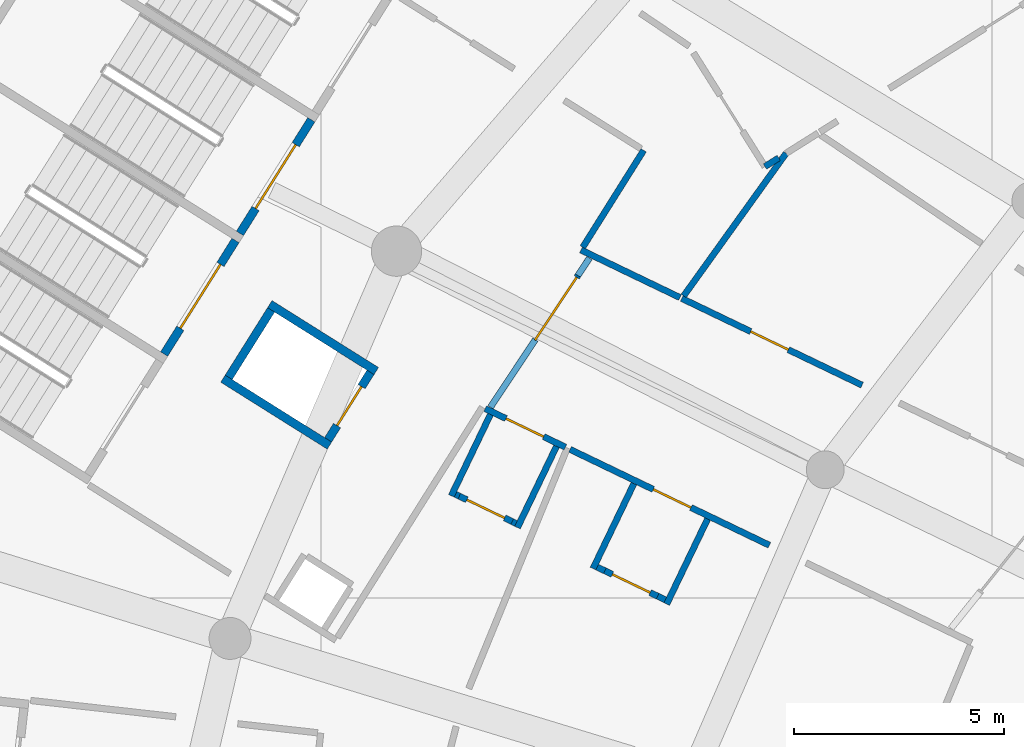
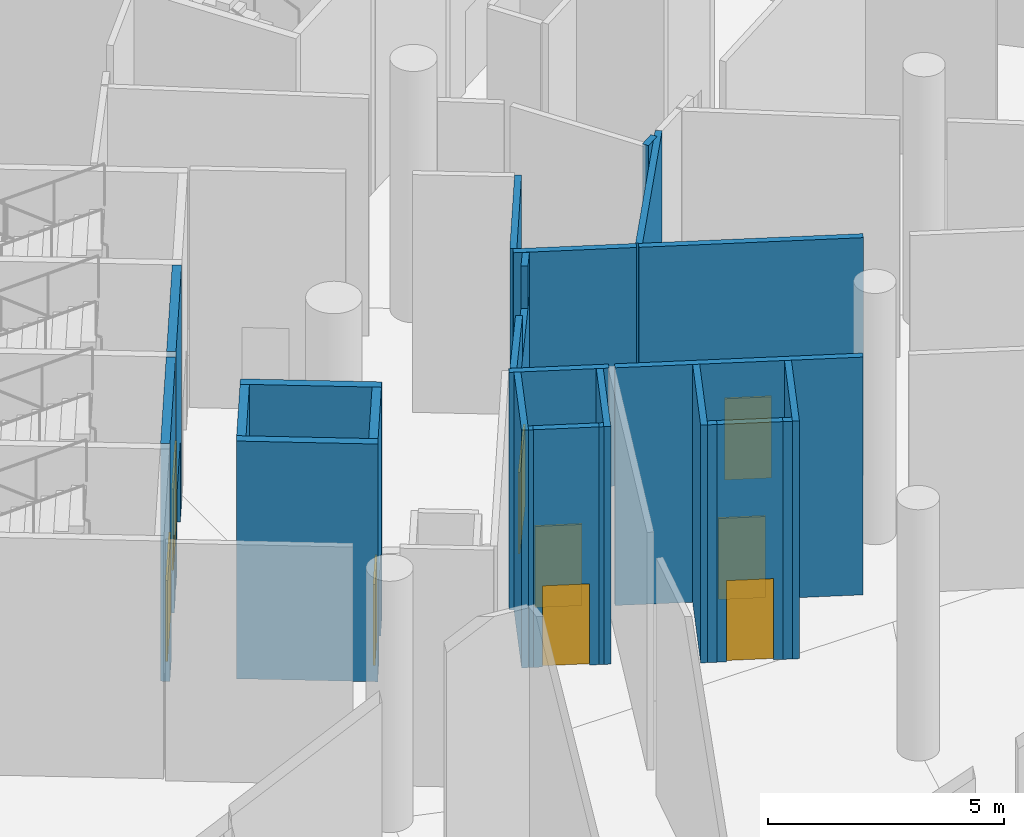
# One storey, part 136 of 255: 26 walls, 9 doors, 9 openings.
"""IFC4 building model written with IfcOpenShell, lengths in metres."""

from ifc_helpers import new_model, si_unit, direction, frame, frame_2d, origin, place, context, subcontext, project, spatial, rectangle, extrude, material, layer, layer_set, type_object, element, fill, save


model = new_model("IFC4")

# Units and contexts
model_context = context("Model", 3, precision=1e-05, world=origin(), true_north=direction((0.0, 1.0)))
body_context = subcontext(model_context, "Body", "Model", "MODEL_VIEW")
ifc_project = project(units=[si_unit("LENGTHUNIT", "METRE"), si_unit("AREAUNIT", "SQUARE_METRE"), si_unit("VOLUMEUNIT", "CUBIC_METRE"), si_unit("PLANEANGLEUNIT", "RADIAN"), si_unit("MASSUNIT", "GRAM", prefix="KILO")], contexts=[model_context])

# Site, building, storey
site_placement = place(None, origin())
site = spatial("IfcSite", under=ifc_project, at=site_placement, CompositionType="ELEMENT")
building_placement = place(site_placement, origin())
building = spatial("IfcBuilding", under=site, at=building_placement, Name="Meseta Stadium", CompositionType="ELEMENT")
storey_placement = place(building_placement, origin())
storey = spatial("IfcBuildingStorey", under=building, at=storey_placement, Name="L00", CompositionType="ELEMENT", Elevation=0.0)

# Wall, opening, door
ifc_material_1 = material(Name="Concrete C40/50", Category="concrete")
ifc_layer_1 = layer(ifc_material_1, 0.199951171875)
ifc_layer_set_1 = layer_set([ifc_layer_1], Name="Core shaft wall 200")
wall_type_1 = type_object("IfcWallType", Name="Core shaft wall 200", PredefinedType="SHEAR", material=ifc_layer_set_1)
wall_1_placement = place(storey_placement, frame((-80.22998046875, 75.405517578125, 0.0), z_axis=(0.0, 0.0, 1.0), x_axis=(-0.53206841829, -0.84670136309, 0.0)))
wall_1 = element("IfcWall", 1, at=wall_1_placement, inside=storey, type_object=wall_type_1, Name="Core 14 L00 stair A2 inner end wall", PredefinedType="SHEAR", context=body_context, shape_type="SweptSolid", body=[
    extrude(rectangle(XDim=3.199951171875, YDim=0.199951171875, at=frame_2d((1.60009765625, 0.0))), origin(), (0.0, 0.0, 1.0), 6.14990234375),
])
opening_1_placement = place(wall_1_placement, frame((0.699951171875, 0.0, 0.0)))
opening_1 = element("IfcOpeningElement", 2, at=opening_1_placement, cuts=wall_1, Name="Opening D192", PredefinedType="OPENING", context=body_context, shape_type="SweptSolid", body=[
    extrude(rectangle(XDim=1.800048828125, YDim=2.10009765625, at=frame_2d((0.89990234375, 1.050048828125))), frame((0.0, 0.10986328125, 0.0), z_axis=(0.0, -1.0, 0.0), x_axis=(1.0, 0.0, 0.0)), (0.0, 0.0, 1.0), 0.219970703125),
])
ifc_material_2 = material(Name="Steel", Category="steel")
door_type_1 = type_object("IfcDoorType", Name="Stair door 1800x2100", OperationType="DOUBLE_DOOR_SINGLE_SWING", PredefinedType="DOOR", material=ifc_material_2)
door_1_placement = place(opening_1_placement, origin())
door_1 = element("IfcDoor", 3, at=door_1_placement, inside=storey, type_object=door_type_1, Name="Stair A2 door 14 L00", OperationType="DOUBLE_DOOR_SINGLE_SWING", OverallHeight=2.10009765625, OverallWidth=1.800048828125, PredefinedType="DOOR", context=body_context, shape_type="SweptSolid", body=[
    extrude(rectangle(XDim=1.800048828125, YDim=2.10009765625, at=frame_2d((0.89990234375, 1.050048828125))), frame((0.0, 0.02490234375, 0.0), z_axis=(0.0, -1.0, 0.0), x_axis=(1.0, 0.0, 0.0)), (0.0, 0.0, 1.0), 0.050048828125),
])
fill(opening_1, door_1)

wall_2_placement = place(storey_placement, frame((-82.0390625, 72.526611328125, 0.0), z_axis=(0.0, 0.0, 1.0), x_axis=(-0.532013720158, -0.846735733015, 0.0)))
wall_2 = element("IfcWall", 4, at=wall_2_placement, inside=storey, type_object=wall_type_1, Name="Core 14 L00 stair B1 inner end wall", PredefinedType="SHEAR", context=body_context, shape_type="SweptSolid", body=[
    extrude(rectangle(XDim=3.199951171875, YDim=0.199951171875, at=frame_2d((1.60009765625, 0.0))), origin(), (0.0, 0.0, 1.0), 6.14990234375),
])
opening_2_placement = place(wall_2_placement, frame((0.673095703125, 0.0, 0.0)))
opening_2 = element("IfcOpeningElement", 5, at=opening_2_placement, cuts=wall_2, Name="Opening D193", PredefinedType="OPENING", context=body_context, shape_type="SweptSolid", body=[
    extrude(rectangle(XDim=1.800048828125, YDim=2.10009765625, at=frame_2d((0.89990234375, 1.050048828125))), frame((0.0, 0.10986328125, 0.0), z_axis=(0.0, -1.0, 0.0), x_axis=(1.0, 0.0, 0.0)), (0.0, 0.0, 1.0), 0.219970703125),
])
door_2_placement = place(opening_2_placement, origin())
door_2 = element("IfcDoor", 6, at=door_2_placement, inside=storey, type_object=door_type_1, Name="Stair B1 door 14 L00", OperationType="DOUBLE_DOOR_SINGLE_SWING", OverallHeight=2.10009765625, OverallWidth=1.800048828125, PredefinedType="DOOR", context=body_context, shape_type="SweptSolid", body=[
    extrude(rectangle(XDim=1.800048828125, YDim=2.10009765625, at=frame_2d((0.89990234375, 1.050048828125))), frame((0.0, 0.02490234375, 0.0), z_axis=(0.0, -1.0, 0.0), x_axis=(1.0, 0.0, 0.0)), (0.0, 0.0, 1.0), 0.050048828125),
])
fill(opening_2, door_2)

# Walls
for number, where, z_axis, x_axis, name in (
    (7, (-81.22119140625, 71.0087890625, 0.0), (0.0, 0.0, 1.0), (0.846757002027, -0.531979867588, 0.0), "Core 14 L00 lift shaft wall left"),
    (8, (-82.33837890625, 69.230712890625, 0.0), (0.0, 0.0, 1.0), (0.846757002027, -0.531979867588, 0.0), "Core 14 L00 lift shaft wall right"),
):
    element("IfcWall", number, at=place(storey_placement, frame(where, z_axis=z_axis, x_axis=x_axis)), inside=storey, type_object=wall_type_1, Name=name, PredefinedType="SHEAR", context=body_context, shape_type="SweptSolid", body=[
        extrude(rectangle(XDim=3.0, YDim=0.199951171875, at=frame_2d((1.5, 0.0))), origin(), (0.0, 0.0, 1.0), 6.14990234375),
    ])
wall_3_placement = place(storey_placement, frame((-81.189697265625, 70.87109375, 0.0), z_axis=(0.0, 0.0, 1.0), x_axis=(-0.531961007765, -0.846768850524, 0.0)))
element("IfcWall", 9, at=wall_3_placement, inside=storey, type_object=wall_type_1, Name="Core 14 L00 lift shaft back wall", PredefinedType="SHEAR", context=body_context, shape_type="SweptSolid", body=[
    extrude(rectangle(XDim=1.900146484375, YDim=0.199951171875, at=frame_2d((0.9501953125, 0.0))), origin(), (0.0, 0.0, 1.0), 6.14990234375),
])

# Wall, opening, door
wall_4_placement = place(storey_placement, frame((-78.81884765625, 69.38134765625, 0.0), z_axis=(0.0, 0.0, 1.0), x_axis=(-0.532018892235, -0.846732483318, 0.0)))
wall_4 = element("IfcWall", 10, at=wall_4_placement, inside=storey, type_object=wall_type_1, Name="Core 14 L00 lift shaft front wall", PredefinedType="SHEAR", context=body_context, shape_type="SweptSolid", body=[
    extrude(rectangle(XDim=1.89990234375, YDim=0.199951171875, at=frame_2d((0.949951171875, 0.0))), origin(), (0.0, 0.0, 1.0), 6.14990234375),
])
opening_3_placement = place(wall_4_placement, frame((0.39990234375, 0.0, 0.0)))
opening_3 = element("IfcOpeningElement", 11, at=opening_3_placement, cuts=wall_4, Name="Opening LD74", PredefinedType="OPENING", context=body_context, shape_type="SweptSolid", body=[
    extrude(rectangle(XDim=1.10009765625, YDim=2.10009765625, at=frame_2d((0.550048828125, 1.050048828125))), frame((0.0, 0.10986328125, 0.0), z_axis=(0.0, -1.0, 0.0), x_axis=(1.0, 0.0, 0.0)), (0.0, 0.0, 1.0), 0.219970703125),
])
ifc_material_3 = material(Name="Steel", Category="steel")
door_type_2 = type_object("IfcDoorType", Name="Lift landing door 1100x2100", OperationType="SLIDING_TO_LEFT", PredefinedType="DOOR", material=ifc_material_3)
door_3_placement = place(opening_3_placement, origin())
door_3 = element("IfcDoor", 12, at=door_3_placement, inside=storey, type_object=door_type_2, Name="Lift landing door LD74", OperationType="SLIDING_TO_RIGHT", OverallHeight=2.10009765625, OverallWidth=1.10009765625, PredefinedType="DOOR", context=body_context, shape_type="SweptSolid", body=[
    extrude(rectangle(XDim=1.10009765625, YDim=2.10009765625, at=frame_2d((0.550048828125, 1.050048828125))), frame((0.0, 0.02490234375, 0.0), z_axis=(0.0, -1.0, 0.0), x_axis=(1.0, 0.0, 0.0)), (0.0, 0.0, 1.0), 0.050048828125),
])
fill(opening_3, door_3)

ifc_material_4 = material(Name="Masonry blockwork", Category="masonry")
ifc_layer_2 = layer(ifc_material_4, 0.14990234375)
ifc_layer_set_2 = layer_set([ifc_layer_2], Name="Partition 150")
wall_type_2 = type_object("IfcWallType", Name="Partition 150", PredefinedType="PARTITIONING", material=ifc_layer_set_2)
wall_5_placement = place(storey_placement, frame((-67.093505859375, 69.076416015625, 0.0), z_axis=(0.0, 0.0, 1.0), x_axis=(-0.901200145097, 0.433403159284, 0.0)))
wall_5 = element("IfcWall", 13, at=wall_5_placement, inside=storey, type_object=wall_type_2, Name="Partition L00 L00-cell12-1-0b1", PredefinedType="PARTITIONING", context=body_context, shape_type="SweptSolid", body=[
    extrude(rectangle(XDim=4.77001953125, YDim=0.14990234375, at=frame_2d((2.385009765625, 0.0))), origin(), (0.0, 0.0, 1.0), 6.14990234375),
])
opening_4_placement = place(wall_5_placement, frame((1.949951171875, 0.0, 0.0)))
opening_4 = element("IfcOpeningElement", 14, at=opening_4_placement, cuts=wall_5, Name="Opening D569", PredefinedType="OPENING", context=body_context, shape_type="SweptSolid", body=[
    extrude(rectangle(XDim=1.0, YDim=2.10009765625, at=frame_2d((0.5, 1.050048828125))), frame((0.0, 0.0849609375, 0.0), z_axis=(0.0, -1.0, 0.0), x_axis=(1.0, 0.0, 0.0)), (0.0, 0.0, 1.0), 0.169921875),
])
ifc_material_5 = material(Name="Timber", Category="wood")
door_type_3 = type_object("IfcDoorType", Name="Room door 1000x2100", OperationType="NOTDEFINED", PredefinedType="DOOR", material=ifc_material_5)
door_4_placement = place(opening_4_placement, origin())
door_4 = element("IfcDoor", 15, at=door_4_placement, inside=storey, type_object=door_type_3, Name="Door D569", OperationType="SINGLE_SWING_LEFT", OverallHeight=2.10009765625, OverallWidth=1.0, PredefinedType="DOOR", context=body_context, shape_type="SweptSolid", body=[
    extrude(rectangle(XDim=1.0, YDim=2.10009765625, at=frame_2d((0.5, 1.050048828125))), frame((0.0, 0.02490234375, 0.0), z_axis=(0.0, -1.0, 0.0), x_axis=(1.0, 0.0, 0.0)), (0.0, 0.0, 1.0), 0.050048828125),
])
fill(opening_4, door_4)

# Walls
wall_6_placement = place(storey_placement, frame((-71.347900390625, 71.20556640625, 0.0), z_axis=(0.0, 0.0, 1.0), x_axis=(0.583304436704, 0.812253614409, 0.0)))
element("IfcWall", 16, at=wall_6_placement, inside=storey, type_object=wall_type_2, Name="Partition L00 L00-cell12-1-0b1", PredefinedType="PARTITIONING", context=body_context, shape_type="SweptSolid", body=[
    extrude(rectangle(XDim=4.1875, YDim=0.14990234375, at=frame_2d((2.09375, 0.0))), origin(), (0.0, 0.0, 1.0), 6.14990234375),
])
wall_7_placement = place(storey_placement, frame((-71.437255859375, 71.165283203125, 0.0), z_axis=(0.0, 0.0, 1.0), x_axis=(-0.901204092293, 0.433394951556, 0.0)))
element("IfcWall", 17, at=wall_7_placement, inside=storey, type_object=wall_type_2, Name="Partition L00 L00-cell12-2-0b1", PredefinedType="PARTITIONING", context=body_context, shape_type="SweptSolid", body=[
    extrude(rectangle(XDim=2.61767578125, YDim=0.14990234375, at=frame_2d((1.308837890625, 0.0))), origin(), (0.0, 0.0, 1.0), 6.14990234375),
])
wall_8_placement = place(storey_placement, frame((-73.756103515625, 72.36376953125, 0.0), z_axis=(0.0, 0.0, 1.0), x_axis=(0.532054374811, 0.846710187871, 0.0)))
element("IfcWall", 18, at=wall_8_placement, inside=storey, type_object=wall_type_2, Name="Partition L00 L00-cell12-2-0b1", PredefinedType="PARTITIONING", context=body_context, shape_type="SweptSolid", body=[
    extrude(rectangle(XDim=2.731201171875, YDim=0.14990234375, at=frame_2d((1.36572265625, 0.0))), origin(), (0.0, 0.0, 1.0), 6.14990234375),
])
wall_9_placement = place(storey_placement, frame((-69.410888671875, 74.289306640625, 0.0), z_axis=(0.0, 0.0, 1.0), x_axis=(0.84669301854, 0.532081697069, 0.0)))
element("IfcWall", 19, at=wall_9_placement, inside=storey, type_object=wall_type_2, Name="Partition L00 L00-cell12-2-0b1", PredefinedType="PARTITIONING", context=body_context, shape_type="SweptSolid", body=[
    extrude(rectangle(XDim=0.3896484375, YDim=0.14990234375, at=frame_2d((0.19482421875, 0.0))), origin(), (0.0, 0.0, 1.0), 6.14990234375),
])

# Wall, opening, door
wall_10_placement = place(storey_placement, frame((-74.0576171875, 67.543212890625, 0.0), z_axis=(0.0, 0.0, 1.0), x_axis=(0.90118985402, -0.433424557462, 0.0)))
wall_10 = element("IfcWall", 20, at=wall_10_placement, inside=storey, type_object=wall_type_2, Name="Partition L00 L00-cell13-1-0", PredefinedType="PARTITIONING", context=body_context, shape_type="SweptSolid", body=[
    extrude(rectangle(XDim=5.275146484375, YDim=0.14990234375, at=frame_2d((2.6376953125, 0.0))), origin(), (0.0, 0.0, 1.0), 6.14990234375),
])
opening_5_placement = place(wall_10_placement, frame((2.199951171875, 0.0, 0.0)))
opening_5 = element("IfcOpeningElement", 21, at=opening_5_placement, cuts=wall_10, Name="Opening D574", PredefinedType="OPENING", context=body_context, shape_type="SweptSolid", body=[
    extrude(rectangle(XDim=1.0, YDim=2.10009765625, at=frame_2d((0.5, 1.050048828125))), frame((0.0, 0.0849609375, 0.0), z_axis=(0.0, -1.0, 0.0), x_axis=(1.0, 0.0, 0.0)), (0.0, 0.0, 1.0), 0.169921875),
])
ifc_material_6 = material(Name="Steel", Category="steel")
door_type_4 = type_object("IfcDoorType", Name="Fire door 1000x2100 EI2 60", OperationType="NOTDEFINED", PredefinedType="DOOR", material=ifc_material_6)
door_5_placement = place(opening_5_placement, origin())
door_5 = element("IfcDoor", 22, at=door_5_placement, inside=storey, type_object=door_type_4, Name="Door D574", OperationType="SINGLE_SWING_RIGHT", OverallHeight=2.10009765625, OverallWidth=1.0, PredefinedType="DOOR", context=body_context, shape_type="SweptSolid", body=[
    extrude(rectangle(XDim=1.0, YDim=2.10009765625, at=frame_2d((0.5, 1.050048828125))), frame((0.0, 0.02490234375, 0.0), z_axis=(0.0, -1.0, 0.0), x_axis=(1.0, 0.0, 0.0)), (0.0, 0.0, 1.0), 0.050048828125),
])
fill(opening_5, door_5)

wall_11_placement = place(storey_placement, frame((-76.083984375, 68.517822265625, 0.0), z_axis=(0.0, 0.0, 1.0), x_axis=(0.901196299468, -0.433411155631, 0.0)))
wall_11 = element("IfcWall", 23, at=wall_11_placement, inside=storey, type_object=wall_type_2, Name="Partition L00 L00-cell13-2-0", PredefinedType="PARTITIONING", context=body_context, shape_type="SweptSolid", body=[
    extrude(rectangle(XDim=2.12353515625, YDim=0.14990234375, at=frame_2d((1.061767578125, 0.0))), origin(), (0.0, 0.0, 1.0), 6.14990234375),
])
opening_6_placement = place(wall_11_placement, frame((0.550048828125, 0.0, 0.0)))
opening_6 = element("IfcOpeningElement", 24, at=opening_6_placement, cuts=wall_11, Name="Opening D575", PredefinedType="OPENING", context=body_context, shape_type="SweptSolid", body=[
    extrude(rectangle(XDim=1.0, YDim=2.10009765625, at=frame_2d((0.5, 1.050048828125))), frame((0.0, 0.0849609375, 0.0), z_axis=(0.0, -1.0, 0.0), x_axis=(1.0, 0.0, 0.0)), (0.0, 0.0, 1.0), 0.169921875),
])
door_6_placement = place(opening_6_placement, origin())
door_6 = element("IfcDoor", 25, at=door_6_placement, inside=storey, type_object=door_type_4, Name="Door D575", OperationType="SINGLE_SWING_LEFT", OverallHeight=2.10009765625, OverallWidth=1.0, PredefinedType="DOOR", context=body_context, shape_type="SweptSolid", body=[
    extrude(rectangle(XDim=1.0, YDim=2.10009765625, at=frame_2d((0.5, 1.050048828125))), frame((0.0, 0.02490234375, 0.0), z_axis=(0.0, -1.0, 0.0), x_axis=(1.0, 0.0, 0.0)), (0.0, 0.0, 1.0), 0.050048828125),
])
fill(opening_6, door_6)

# Walls
wall_12_placement = place(storey_placement, frame((-72.535400390625, 66.727783203125, 0.0), z_axis=(0.0, 0.0, 1.0), x_axis=(-0.433401217297, -0.901201079031, 0.0)))
element("IfcWall", 26, at=wall_12_placement, inside=storey, type_object=wall_type_2, Name="Partition L00 L00-cell13-1-0 vestibule", PredefinedType="PARTITIONING", context=body_context, shape_type="SweptSolid", body=[
    extrude(rectangle(XDim=2.249755859375, YDim=0.14990234375, at=frame_2d((1.125, 0.0))), origin(), (0.0, 0.0, 1.0), 6.14990234375),
])
wall_13_placement = place(storey_placement, frame((-70.778076171875, 65.8828125, 0.0), z_axis=(0.0, 0.0, 1.0), x_axis=(-0.433446957245, -0.901179080569, 0.0)))
element("IfcWall", 27, at=wall_13_placement, inside=storey, type_object=wall_type_2, Name="Partition L00 L00-cell13-1-0 vestibule", PredefinedType="PARTITIONING", context=body_context, shape_type="SweptSolid", body=[
    extrude(rectangle(XDim=2.250244140625, YDim=0.14990234375, at=frame_2d((1.125, 0.0))), origin(), (0.0, 0.0, 1.0), 6.14990234375),
])
wall_14_placement = place(storey_placement, frame((-73.410400390625, 64.7353515625, 0.0), z_axis=(0.0, 0.0, 1.0), x_axis=(0.901160703759, -0.433485162377, 0.0)))
element("IfcWall", 28, at=wall_14_placement, inside=storey, type_object=wall_type_2, Name="Partition L00 L00-cell13-1-0 vestibule", PredefinedType="PARTITIONING", context=body_context, shape_type="SweptSolid", body=[
    extrude(rectangle(XDim=0.199951171875, YDim=0.14990234375, at=frame_2d((0.10009765625, 0.0))), origin(), (0.0, 0.0, 1.0), 6.14990234375),
])

# Wall, opening, door
wall_15_placement = place(storey_placement, frame((-73.230224609375, 64.648681640625, 0.0), z_axis=(0.0, 0.0, 1.0), x_axis=(0.901158119361, -0.433490534971, 0.0)))
wall_15 = element("IfcWall", 29, at=wall_15_placement, inside=storey, type_object=wall_type_2, Name="Partition L00 L00-cell13-1-0 vestibule", PredefinedType="PARTITIONING", context=body_context, shape_type="SweptSolid", body=[
    extrude(rectangle(XDim=1.400146484375, YDim=0.14990234375, at=frame_2d((0.7001953125, 0.0))), origin(), (0.0, 0.0, 1.0), 6.14990234375),
])
opening_7_placement = place(wall_15_placement, frame((0.199951171875, 0.0, 0.0)))
opening_7 = element("IfcOpeningElement", 30, at=opening_7_placement, cuts=wall_15, Name="Opening D842", PredefinedType="OPENING", context=body_context, shape_type="SweptSolid", body=[
    extrude(rectangle(XDim=1.0, YDim=2.10009765625, at=frame_2d((0.5, 1.050048828125))), frame((0.0, 0.0849609375, 0.0), z_axis=(0.0, -1.0, 0.0), x_axis=(1.0, 0.0, 0.0)), (0.0, 0.0, 1.0), 0.169921875),
])
door_7_placement = place(opening_7_placement, origin())
door_7 = element("IfcDoor", 31, at=door_7_placement, inside=storey, type_object=door_type_4, Name="Vestibule door L00 L00-cell13-1-0", OperationType="SINGLE_SWING_RIGHT", OverallHeight=2.10009765625, OverallWidth=1.0, PredefinedType="DOOR", context=body_context, shape_type="SweptSolid", body=[
    extrude(rectangle(XDim=1.0, YDim=2.10009765625, at=frame_2d((0.5, 1.050048828125))), frame((0.0, 0.02490234375, 0.0), z_axis=(0.0, -1.0, 0.0), x_axis=(1.0, 0.0, 0.0)), (0.0, 0.0, 1.0), 0.050048828125),
])
fill(opening_7, door_7)

# Walls
wall_16_placement = place(storey_placement, frame((-71.968505859375, 64.041748046875, 0.0), z_axis=(0.0, 0.0, 1.0), x_axis=(0.901160703759, -0.433485162377, 0.0)))
element("IfcWall", 32, at=wall_16_placement, inside=storey, type_object=wall_type_2, Name="Partition L00 L00-cell13-1-0 vestibule", PredefinedType="PARTITIONING", context=body_context, shape_type="SweptSolid", body=[
    extrude(rectangle(XDim=0.199951171875, YDim=0.14990234375, at=frame_2d((0.10009765625, 0.0))), origin(), (0.0, 0.0, 1.0), 6.14990234375),
])
for number, where, z_axis, x_axis, name in (
    (33, (-75.958984375, 68.37451171875, 0.0), (0.0, 0.0, 1.0), (-0.433399074272, -0.90120210964, 0.0), "Partition L00 L00-cell13-2-0 vestibule"),
    (34, (-74.3818359375, 67.615966796875, 0.0), (0.0, 0.0, 1.0), (-0.433399074272, -0.90120210964, 0.0), "Partition L00 L00-cell13-2-0 vestibule"),
):
    element("IfcWall", number, at=place(storey_placement, frame(where, z_axis=z_axis, x_axis=x_axis)), inside=storey, type_object=wall_type_2, Name=name, PredefinedType="PARTITIONING", context=body_context, shape_type="SweptSolid", body=[
        extrude(rectangle(XDim=2.150146484375, YDim=0.14990234375, at=frame_2d((1.0751953125, 0.0))), origin(), (0.0, 0.0, 1.0), 6.14990234375),
    ])
wall_17_placement = place(storey_placement, frame((-76.790771484375, 66.471923828125, 0.0), z_axis=(0.0, 0.0, 1.0), x_axis=(0.900683407008, -0.434476006633, 0.0)))
element("IfcWall", 35, at=wall_17_placement, inside=storey, type_object=wall_type_2, Name="Partition L00 L00-cell13-2-0 vestibule", PredefinedType="PARTITIONING", context=body_context, shape_type="SweptSolid", body=[
    extrude(rectangle(XDim=0.10009765625, YDim=0.14990234375, at=frame_2d((0.050048828125, 0.0))), origin(), (0.0, 0.0, 1.0), 6.14990234375),
])

# Wall, opening, door
wall_18_placement = place(storey_placement, frame((-76.70068359375, 66.428466796875, 0.0), z_axis=(0.0, 0.0, 1.0), x_axis=(0.901226230947, -0.433348913294, 0.0)))
wall_18 = element("IfcWall", 36, at=wall_18_placement, inside=storey, type_object=wall_type_2, Name="Partition L00 L00-cell13-2-0 vestibule", PredefinedType="PARTITIONING", context=body_context, shape_type="SweptSolid", body=[
    extrude(rectangle(XDim=1.39990234375, YDim=0.14990234375, at=frame_2d((0.699951171875, 0.0))), origin(), (0.0, 0.0, 1.0), 6.14990234375),
])
opening_8_placement = place(wall_18_placement, frame((0.199951171875, 0.0, 0.0)))
opening_8 = element("IfcOpeningElement", 37, at=opening_8_placement, cuts=wall_18, Name="Opening D843", PredefinedType="OPENING", context=body_context, shape_type="SweptSolid", body=[
    extrude(rectangle(XDim=1.0, YDim=2.10009765625, at=frame_2d((0.5, 1.050048828125))), frame((0.0, 0.0849609375, 0.0), z_axis=(0.0, -1.0, 0.0), x_axis=(1.0, 0.0, 0.0)), (0.0, 0.0, 1.0), 0.169921875),
])
door_8_placement = place(opening_8_placement, origin())
door_8 = element("IfcDoor", 38, at=door_8_placement, inside=storey, type_object=door_type_4, Name="Vestibule door L00 L00-cell13-2-0", OperationType="SINGLE_SWING_LEFT", OverallHeight=2.10009765625, OverallWidth=1.0, PredefinedType="DOOR", context=body_context, shape_type="SweptSolid", body=[
    extrude(rectangle(XDim=1.0, YDim=2.10009765625, at=frame_2d((0.5, 1.050048828125))), frame((0.0, 0.02490234375, 0.0), z_axis=(0.0, -1.0, 0.0), x_axis=(1.0, 0.0, 0.0)), (0.0, 0.0, 1.0), 0.050048828125),
])
fill(opening_8, door_8)

# Wall
wall_19_placement = place(storey_placement, frame((-75.43896484375, 65.82177734375, 0.0), z_axis=(0.0, 0.0, 1.0), x_axis=(0.900683407008, -0.434476006633, 0.0)))
element("IfcWall", 39, at=wall_19_placement, inside=storey, type_object=wall_type_2, Name="Partition L00 L00-cell13-2-0 vestibule", PredefinedType="PARTITIONING", context=body_context, shape_type="SweptSolid", body=[
    extrude(rectangle(XDim=0.10009765625, YDim=0.14990234375, at=frame_2d((0.050048828125, 0.0))), origin(), (0.0, 0.0, 1.0), 6.14990234375),
])

# Wall, opening, door
wall_20_placement = place(storey_placement, frame((-73.595458984375, 72.107666015625, 0.0), z_axis=(0.0, 0.0, 1.0), x_axis=(-0.552890314707, -0.833254042837, 0.0)))
wall_20 = element("IfcWall", 40, at=wall_20_placement, inside=storey, type_object=wall_type_2, Name="Escape corridor sector wall L00 core 14", PredefinedType="PARTITIONING", context=body_context, shape_type="SweptSolid", body=[
    extrude(rectangle(XDim=4.267822265625, YDim=0.14990234375, at=frame_2d((2.1337890625, 0.0))), origin(), (0.0, 0.0, 1.0), 5.050048828125),
])
opening_9_placement = place(wall_20_placement, frame((0.550048828125, 0.0, 0.0)))
opening_9 = element("IfcOpeningElement", 41, at=opening_9_placement, cuts=wall_20, Name="Opening D418", PredefinedType="OPENING", context=body_context, shape_type="SweptSolid", body=[
    extrude(rectangle(XDim=1.800048828125, YDim=2.10009765625, at=frame_2d((0.89990234375, 1.050048828125))), frame((0.0, 0.0849609375, 0.0), z_axis=(0.0, -1.0, 0.0), x_axis=(1.0, 0.0, 0.0)), (0.0, 0.0, 1.0), 0.169921875),
])
ifc_material_7 = material(Name="Steel", Category="steel")
door_type_5 = type_object("IfcDoorType", Name="Fire double door 1800x2100 EI2 60", OperationType="DOUBLE_DOOR_SINGLE_SWING", PredefinedType="DOOR", material=ifc_material_7)
door_9_placement = place(opening_9_placement, origin())
door_9 = element("IfcDoor", 42, at=door_9_placement, inside=storey, type_object=door_type_5, Name="Escape corridor door EC14-1", OperationType="DOUBLE_DOOR_SINGLE_SWING", OverallHeight=2.10009765625, OverallWidth=1.800048828125, PredefinedType="DOOR", context=body_context, shape_type="SweptSolid", body=[
    extrude(rectangle(XDim=1.800048828125, YDim=2.10009765625, at=frame_2d((0.89990234375, 1.050048828125))), frame((0.0, 0.02490234375, 0.0), z_axis=(0.0, -1.0, 0.0), x_axis=(1.0, 0.0, 0.0)), (0.0, 0.0, 1.0), 0.050048828125),
])
fill(opening_9, door_9)

# Walls
wall_21_placement = place(storey_placement, frame((-73.595458984375, 72.107666015625, 5.050048828125), z_axis=(0.0, 0.0, 1.0), x_axis=(-0.552670537612, -0.833399830127, 0.0)))
element("IfcWall", 43, at=wall_21_placement, inside=storey, type_object=wall_type_2, Name="Escape corridor sector wall L00 core 14", PredefinedType="PARTITIONING", context=body_context, shape_type="SweptSolid", body=[
    extrude(rectangle(XDim=0.5, YDim=0.14990234375, at=frame_2d((0.25, 0.0))), origin(), (0.0, 0.0, 1.0), 1.099853515625),
])
wall_22_placement = place(storey_placement, frame((-74.885986328125, 70.16259765625, 5.050048828125), z_axis=(0.0, 0.0, 1.0), x_axis=(-0.552921485194, -0.833233359396, 0.0)))
element("IfcWall", 44, at=wall_22_placement, inside=storey, type_object=wall_type_2, Name="Escape corridor sector wall L00 core 14", PredefinedType="PARTITIONING", context=body_context, shape_type="SweptSolid", body=[
    extrude(rectangle(XDim=1.93359375, YDim=0.14990234375, at=frame_2d((0.966796875, 0.0))), origin(), (0.0, 0.0, 1.0), 1.099853515625),
])

save(model, "model.ifc")
